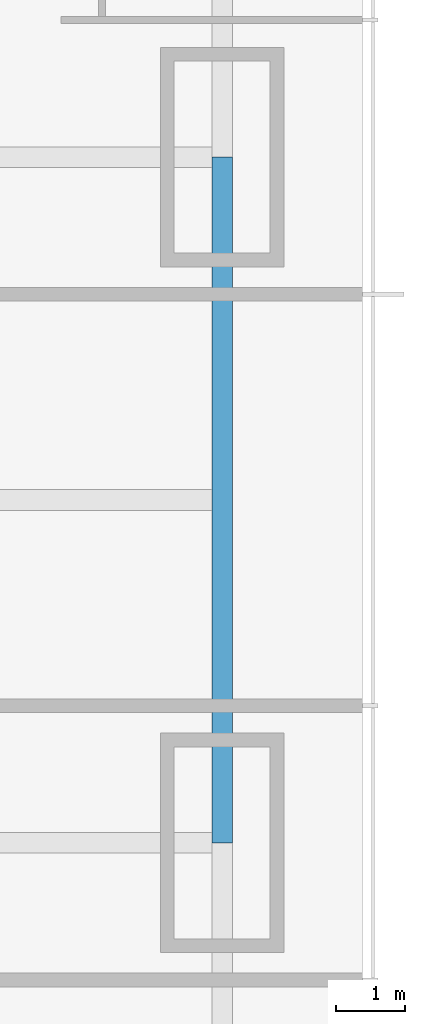
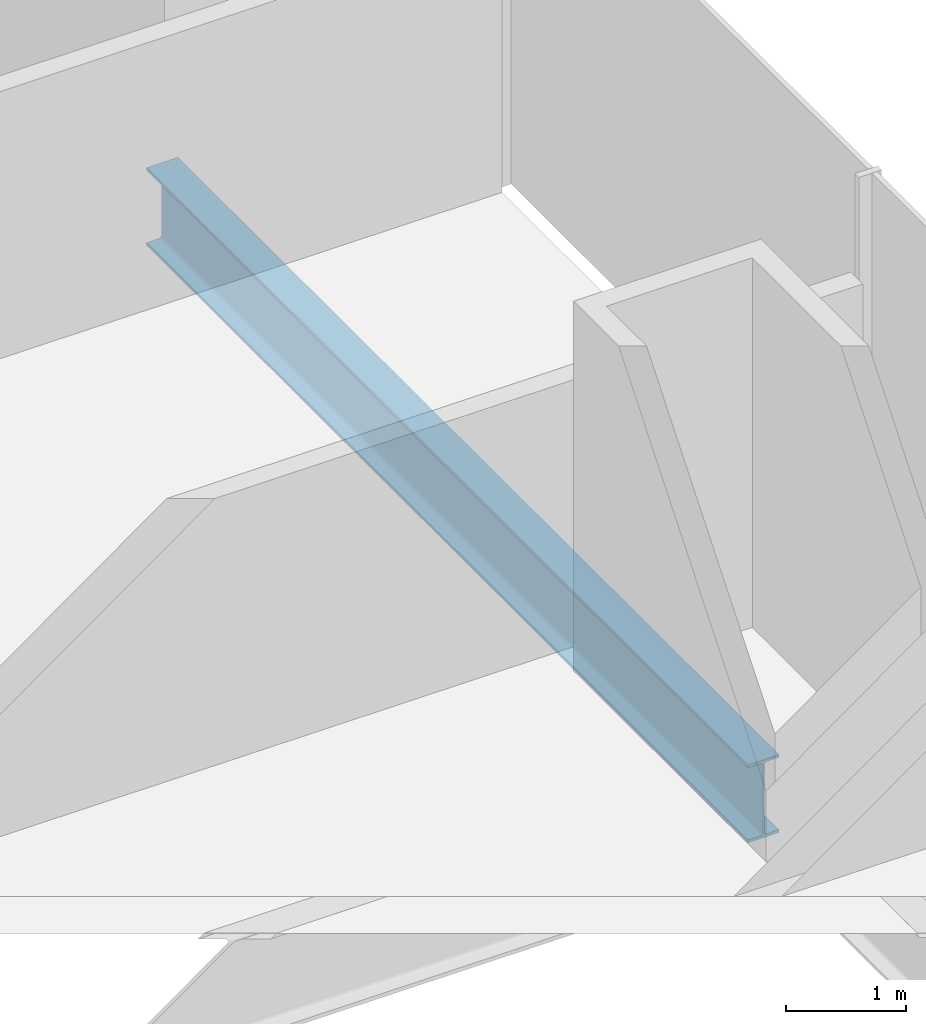
# One storey, part 5 of 20: 1 beam.
"""IFC4 building model written with IfcOpenShell, lengths in metres."""

import ifcopenshell
import ifcopenshell.guid

model = None  # the IFC model being written
_history = None  # IfcOwnerHistory: only IFC2X3 demands one
_inside = {}  # id of a spatial element -> (the spatial element, [elements in it])
_under = {}  # id of a project, library or spatial element -> (it, [spatial elements below it])
_declared = {}  # id of a project -> (the project, [libraries it declares])
_typed = {}  # id of a type object -> (the type object, [elements of that type])
_made_of = {}  # id of a material, layer set ... -> (it, [elements and type objects made of it])


def new_model(schema):
    """Start an empty IFC model of exactly this schema.

    Asked for "IFC4X3", IfcOpenShell would pick the latest addendum, in which some entities
    have other attributes; the version numbers below select the first issue.
    IFC2X3 requires an IfcOwnerHistory on every rooted entity: one is made here for all.
    """
    global model, _history
    if schema == "IFC4X3":
        model = ifcopenshell.file(schema_version=(4, 3, 0, 0))
    else:
        model = ifcopenshell.file(schema=schema)
    _inside.clear()
    _under.clear()
    _declared.clear()
    _typed.clear()
    _made_of.clear()
    _history = None
    if model.schema == "IFC2X3":
        org = make("IfcOrganization", Name="unknown")
        user = make(
            "IfcPersonAndOrganization",
            ThePerson=make("IfcPerson", FamilyName="unknown"),
            TheOrganization=org,
        )
        app = make(
            "IfcApplication",
            ApplicationDeveloper=org,
            Version="unknown",
            ApplicationFullName="unknown",
            ApplicationIdentifier="unknown",
        )
        _history = make(
            "IfcOwnerHistory",
            OwningUser=user,
            OwningApplication=app,
            ChangeAction="ADDED",
            CreationDate=0,
        )
    return model


def make(cls, **values):
    """One entity of the class cls with the attributes given. An attribute that is None is left unset."""
    return model.create_entity(
        cls, **{name: value for name, value in values.items() if value is not None}
    )


def rooted(cls, **values):
    """An entity with a GlobalId (a new one), such as an element, a storey or a relation."""
    return make(cls, GlobalId=ifcopenshell.guid.new(), OwnerHistory=_history, **values)


def si_unit(unit_type, name, prefix=None):
    """IfcSIUnit, for example si_unit("LENGTHUNIT", "METRE", prefix="MILLI")."""
    return make("IfcSIUnit", UnitType=unit_type, Prefix=prefix, Name=name)


def assignment(units):
    """IfcUnitAssignment: the units of a project."""
    return None if units is None else make("IfcUnitAssignment", Units=units)


def point(xyz):
    """IfcCartesianPoint."""
    return None if xyz is None else make("IfcCartesianPoint", Coordinates=xyz)


def direction(xyz):
    """IfcDirection."""
    return None if xyz is None else make("IfcDirection", DirectionRatios=xyz)


def frame(location, z_axis=None, x_axis=None):
    """IfcAxis2Placement3D, a coordinate frame: its origin and axes. An axis left out is left unset."""
    return make(
        "IfcAxis2Placement3D",
        Location=point(location),
        Axis=direction(z_axis),
        RefDirection=direction(x_axis),
    )


def frame_2d(location, x_axis=None):
    """IfcAxis2Placement2D, a coordinate frame in the plane: its origin and x axis."""
    return make(
        "IfcAxis2Placement2D", Location=point(location), RefDirection=direction(x_axis)
    )


def origin():
    """The frame at (0, 0, 0) with its axes left unset."""
    return frame((0.0, 0.0, 0.0))


def origin_2d():
    """The frame at (0, 0) in the plane with its x axis left unset."""
    return frame_2d((0.0, 0.0))


def place(relative_to, where):
    """IfcLocalPlacement: puts the frame where relative to a parent placement (None: the world)."""
    return make(
        "IfcLocalPlacement", PlacementRelTo=relative_to, RelativePlacement=where
    )


def context(
    kind, dimensions, precision=None, world=None, true_north=None, identifier=None
):
    """IfcGeometricRepresentationContext, for example the 3D "Model" context."""
    return make(
        "IfcGeometricRepresentationContext",
        ContextIdentifier=identifier,
        ContextType=kind,
        CoordinateSpaceDimension=dimensions,
        Precision=precision,
        WorldCoordinateSystem=world,
        TrueNorth=true_north,
    )


def subcontext(parent, identifier, kind, view, scale=None):
    """IfcGeometricRepresentationSubContext, for example "Body" below "Model"."""
    return make(
        "IfcGeometricRepresentationSubContext",
        ContextIdentifier=identifier,
        ContextType=kind,
        ParentContext=parent,
        TargetScale=scale,
        TargetView=view,
    )


def project(units=None, contexts=None):
    """IfcProject with its units and contexts."""
    return rooted(
        "IfcProject",
        Name="project",
        RepresentationContexts=contexts,
        UnitsInContext=assignment(units),
    )


def spatial(cls, under=None, at=None, **own):
    """A site, building, storey or space (cls), placed at a placement, below another one or the project."""
    s = rooted(cls, ObjectPlacement=at, **own)
    if under is not None:
        _under.setdefault(under.id(), (under, []))[1].append(s)
    return s


def profile(cls, at=None, kind="AREA", **sizes):
    """A parametric profile (cls). Its sizes go by their IFC names, for example OverallWidth=200.0."""
    return make(cls, ProfileType=kind, Position=at, **sizes)


def i_section(**sizes):
    """IfcIShapeProfileDef."""
    return profile("IfcIShapeProfileDef", **sizes)


def extrude(swept, where, along, depth):
    """IfcExtrudedAreaSolid: the profile swept, set in the frame where, extruded along a direction by depth."""
    return make(
        "IfcExtrudedAreaSolid",
        SweptArea=swept,
        Position=where,
        ExtrudedDirection=direction(along),
        Depth=depth,
    )


def shape(context_of_items, identifier, shape_type, items):
    """IfcShapeRepresentation: the items that make up one representation, for example the "Body"."""
    return make(
        "IfcShapeRepresentation",
        ContextOfItems=context_of_items,
        RepresentationIdentifier=identifier,
        RepresentationType=shape_type,
        Items=items,
    )


def material(Name=None, Category=None):
    """IfcMaterial."""
    return make("IfcMaterial", Name=Name, Category=Category)


def material_profile(
    of_material, cross_section, Name=None, Category=None, Priority=None
):
    """IfcMaterialProfile: a cross section and its material."""
    return make(
        "IfcMaterialProfile",
        Name=Name,
        Material=of_material,
        Profile=cross_section,
        Priority=Priority,
        Category=Category,
    )


def profile_set(profiles, Name=None, composite=None):
    """IfcMaterialProfileSet."""
    return make(
        "IfcMaterialProfileSet",
        Name=Name,
        MaterialProfiles=profiles,
        CompositeProfile=composite,
    )


def made_of(thing, what):
    """Note that an element or type object is made of a material, layer set ...; save() writes the relation."""
    if what is not None:
        _made_of.setdefault(what.id(), (what, []))[1].append(thing)
    return thing


def type_object(cls, material=None, **own):
    """A type object (cls), such as IfcWallType, which elements share."""
    return made_of(rooted(cls, **own), material)


def element(
    cls,
    number,
    at=None,
    inside=None,
    cuts=None,
    type_object=None,
    material=None,
    context=None,
    identifier="Body",
    shape_type=None,
    held_by="IfcProductDefinitionShape",
    body=None,
    shapes=None,
    **own,
):
    """One element of the class cls, such as IfcWall. Its Tag is "e" and its number.

    at: its placement. inside: the storey or other place that contains it. cuts: it is an
    opening in that element (IfcRelVoidsElement). A single representation is given by context,
    identifier, shape_type and body (its items); several are given by shapes. held_by: the class
    of the entity that holds the representations. save() writes the other relations.
    """
    e = rooted(cls, Tag="e%d" % number, ObjectPlacement=at, **own)
    if body is not None:
        shapes = [shape(context, identifier, shape_type, body)]
    if shapes is not None:
        e.Representation = make(held_by, Representations=shapes)
    if inside is not None:
        _inside.setdefault(inside.id(), (inside, []))[1].append(e)
    if cuts is not None:
        rooted(
            "IfcRelVoidsElement", RelatingBuildingElement=cuts, RelatedOpeningElement=e
        )
    if type_object is not None:
        _typed.setdefault(type_object.id(), (type_object, []))[1].append(e)
    return made_of(e, material)


def aggregate(whole, parts):
    """IfcRelAggregates: a whole, such as a stair, and the parts it consists of."""
    return rooted("IfcRelAggregates", RelatingObject=whole, RelatedObjects=parts)


def save(model, path):
    """Write the relations noted so far, then the file.

    IfcRelAggregates (storeys below a building ...), IfcRelContainedInSpatialStructure (elements
    in a storey), IfcRelDefinesByType, IfcRelAssociatesMaterial and IfcRelDeclares: one each for
    every whole, place, type object, material and project.
    """
    for whole, parts in _under.values():
        aggregate(whole, parts)
    for where, things in _inside.values():
        rooted(
            "IfcRelContainedInSpatialStructure",
            RelatedElements=things,
            RelatingStructure=where,
        )
    for kind, things in _typed.values():
        rooted("IfcRelDefinesByType", RelatedObjects=things, RelatingType=kind)
    for what, things in _made_of.values():
        rooted("IfcRelAssociatesMaterial", RelatedObjects=things, RelatingMaterial=what)
    for by, libraries in _declared.values():
        rooted("IfcRelDeclares", RelatingContext=by, RelatedDefinitions=libraries)
    model.write(path)


model = new_model("IFC4")

# Units and contexts
model_context = context("Model", 3, precision=1e-05, world=origin(), true_north=direction((0.0, 1.0)))
body_context = subcontext(model_context, "Body", "Model", "MODEL_VIEW")
ifc_project = project(units=[si_unit("LENGTHUNIT", "METRE"), si_unit("AREAUNIT", "SQUARE_METRE"), si_unit("VOLUMEUNIT", "CUBIC_METRE"), si_unit("PLANEANGLEUNIT", "RADIAN"), si_unit("MASSUNIT", "GRAM", prefix="KILO")], contexts=[model_context])

# Site, building, storey
site_placement = place(None, origin())
site = spatial("IfcSite", under=ifc_project, at=site_placement, CompositionType="ELEMENT")
building_placement = place(site_placement, origin())
building = spatial("IfcBuilding", under=site, at=building_placement, Name="Khuree Lantern Residences", CompositionType="ELEMENT")
storey_placement = place(building_placement, frame((0.0, 0.0, 32.25)))
storey = spatial("IfcBuildingStorey", under=building, at=storey_placement, Name="L07", CompositionType="ELEMENT", Elevation=32.25)

# Beam
ifc_material = material(Name="Steel S355", Category="steel")
ifc_material_profile = material_profile(ifc_material, i_section(OverallWidth=0.300048828125, OverallDepth=0.7900390625, WebThickness=0.014892578125, FlangeThickness=0.028076171875, FilletRadius=0.030029296875, at=origin_2d()), Name="HE 800 A")
ifc_profile_set = profile_set([ifc_material_profile], Name="Steel S355")
beam_type = type_object("IfcBeamType", Name="E-11 SPANDREL BEAM HE 800 A", PredefinedType="SPANDREL", material=ifc_profile_set)
beam_placement = place(storey_placement, frame((29.800048828125, 0.0, -0.64501953125), z_axis=(0.0, -1.0, 0.0), x_axis=(1.0, 0.0, 0.0)))
element("IfcBeam", 1, at=beam_placement, inside=storey, type_object=beam_type, Name="Spandrel beam E4", PredefinedType="SPANDREL", context=body_context, shape_type="SweptSolid", body=[
    extrude(i_section(OverallWidth=0.300048828125, OverallDepth=0.7900390625, WebThickness=0.014892578125, FlangeThickness=0.028076171875, FilletRadius=0.030029296875, at=origin_2d()), origin(), (0.0, 0.0, 1.0), 10.0),
])

save(model, "model.ifc")
